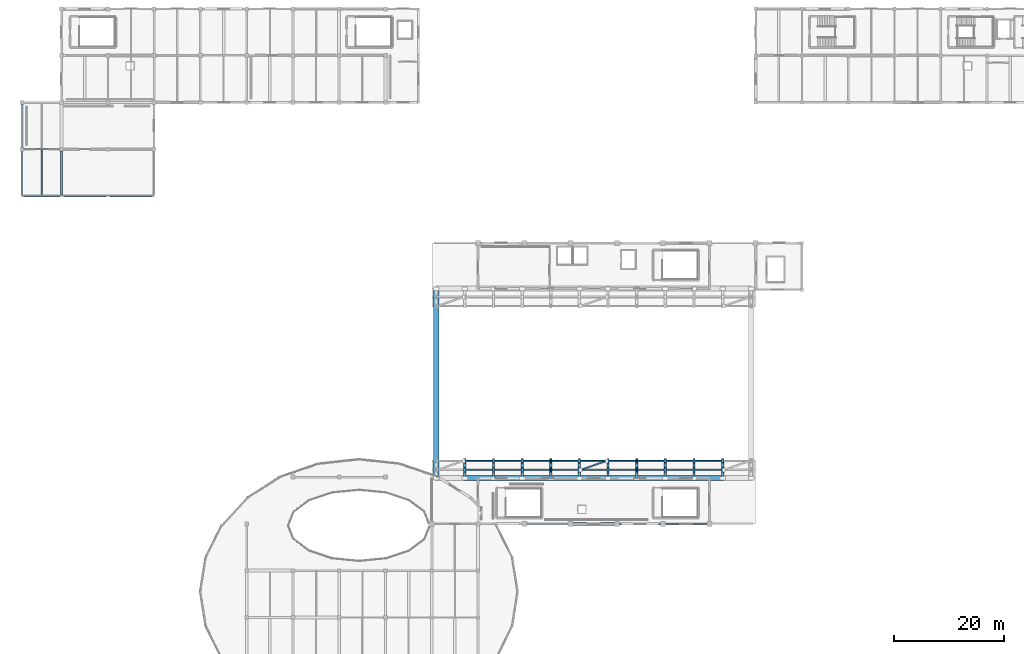
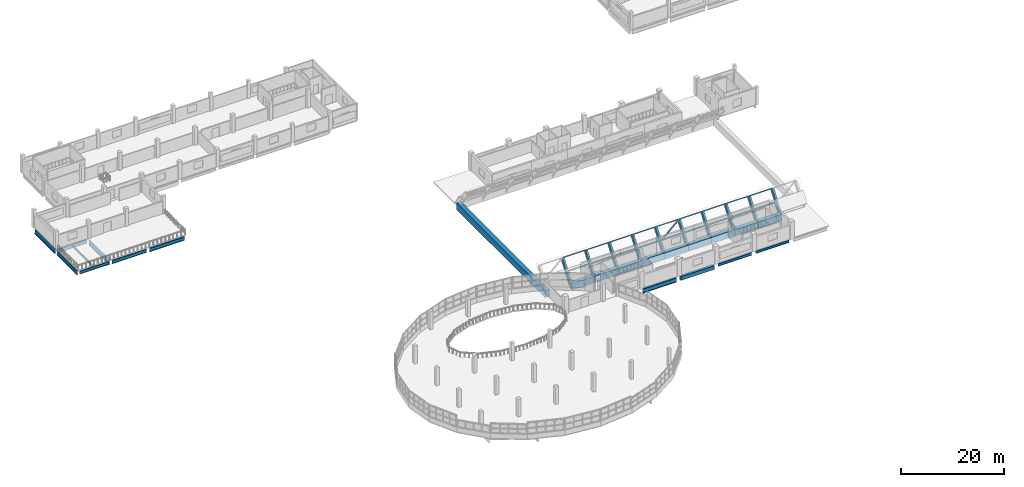
# One storey, part 29 of 52: 42 beams, 19 members.
"""IFC4 building model written with IfcOpenShell, lengths in metres."""

from ifc_helpers import new_model, si_unit, direction, frame, origin, origin_2d, place, context, subcontext, project, spatial, rectangle, hollow_rectangle, hollow_circle, i_section, extrude, material, material_profile, profile_set, type_object, element, save


model = new_model("IFC4")

# Units and contexts
model_context = context("Model", 3, precision=1e-05, world=origin(), true_north=direction((0.0, 1.0)))
body_context = subcontext(model_context, "Body", "Model", "MODEL_VIEW")
ifc_project = project(units=[si_unit("LENGTHUNIT", "METRE"), si_unit("AREAUNIT", "SQUARE_METRE"), si_unit("VOLUMEUNIT", "CUBIC_METRE"), si_unit("PLANEANGLEUNIT", "RADIAN"), si_unit("MASSUNIT", "GRAM", prefix="KILO")], contexts=[model_context])

# Site, building, storey
site_placement = place(None, origin())
site = spatial("IfcSite", under=ifc_project, at=site_placement, CompositionType="ELEMENT")
building_placement = place(site_placement, origin())
building = spatial("IfcBuilding", under=site, at=building_placement, Name="Solvento Point Concert Hall", CompositionType="ELEMENT")
storey_placement = place(building_placement, frame((0.0, 0.0, 19.5)))
storey = spatial("IfcBuildingStorey", under=building, at=storey_placement, Name="L04", CompositionType="ELEMENT", Elevation=19.5)

# Beams
ifc_material_1 = material(Name="Structural Steel ASTM A992 Grade 50", Category="steel")
ifc_material_profile_1 = material_profile(ifc_material_1, i_section(OverallWidth=0.423095703125, OverallDepth=0.947998046875, WebThickness=0.02392578125, FlangeThickness=0.042724609375, at=origin_2d()), Name="W36X302")
ifc_profile_set_1 = profile_set([ifc_material_profile_1], Name="Structural Steel ASTM A992 Grade 50")
beam_type_1 = type_object("IfcBeamType", Name="ArchRib_W36X302", PredefinedType="BEAM", material=ifc_profile_set_1)
beam_1_placement = place(storey_placement, frame((80.39990234375, 50.800048828125, -0.64990234375), z_axis=(0.0, 0.557211589906, 0.830370546247), x_axis=(-1.0, 0.0, 0.0)))
element("IfcBeam", 1, at=beam_1_placement, inside=storey, type_object=beam_type_1, Name="Steel arch rib AR-01 bay 2 seg 1", PredefinedType="BEAM", context=body_context, shape_type="SweptSolid", body=[
    extrude(i_section(OverallWidth=0.423095703125, OverallDepth=0.947998046875, WebThickness=0.02392578125, FlangeThickness=0.042724609375, at=origin_2d()), origin(), (0.0, 0.0, 1.0), 2.689453125),
])
beam_2_placement = place(storey_placement, frame((80.39990234375, 52.298583984375, 1.583251953125), z_axis=(0.0, 0.596003968317, 0.8029814878), x_axis=(-1.0, 0.0, 0.0)))
element("IfcBeam", 2, at=beam_2_placement, inside=storey, type_object=beam_type_1, Name="Steel arch rib AR-01 bay 2 seg 2", PredefinedType="BEAM", context=body_context, shape_type="SweptSolid", body=[
    extrude(i_section(OverallWidth=0.423095703125, OverallDepth=0.947998046875, WebThickness=0.02392578125, FlangeThickness=0.042724609375, at=origin_2d()), origin(), (0.0, 0.0, 1.0), 2.781494140625),
])
beam_3_placement = place(storey_placement, frame((85.60009765625, 50.800048828125, -0.64990234375), z_axis=(0.0, 0.557211589906, 0.830370546247), x_axis=(-1.0, 0.0, 0.0)))
element("IfcBeam", 3, at=beam_3_placement, inside=storey, type_object=beam_type_1, Name="Steel arch rib AR-01 bay 3 seg 1", PredefinedType="BEAM", context=body_context, shape_type="SweptSolid", body=[
    extrude(i_section(OverallWidth=0.423095703125, OverallDepth=0.947998046875, WebThickness=0.02392578125, FlangeThickness=0.042724609375, at=origin_2d()), origin(), (0.0, 0.0, 1.0), 2.689453125),
])
beam_4_placement = place(storey_placement, frame((85.60009765625, 52.298583984375, 1.583251953125), z_axis=(0.0, 0.596003968317, 0.8029814878), x_axis=(-1.0, 0.0, 0.0)))
element("IfcBeam", 4, at=beam_4_placement, inside=storey, type_object=beam_type_1, Name="Steel arch rib AR-01 bay 3 seg 2", PredefinedType="BEAM", context=body_context, shape_type="SweptSolid", body=[
    extrude(i_section(OverallWidth=0.423095703125, OverallDepth=0.947998046875, WebThickness=0.02392578125, FlangeThickness=0.042724609375, at=origin_2d()), origin(), (0.0, 0.0, 1.0), 2.781494140625),
])
beam_5_placement = place(storey_placement, frame((90.800048828125, 50.800048828125, -0.64990234375), z_axis=(0.0, 0.557211589906, 0.830370546247), x_axis=(-1.0, 0.0, 0.0)))
element("IfcBeam", 5, at=beam_5_placement, inside=storey, type_object=beam_type_1, Name="Steel arch rib AR-01 bay 4 seg 1", PredefinedType="BEAM", context=body_context, shape_type="SweptSolid", body=[
    extrude(i_section(OverallWidth=0.423095703125, OverallDepth=0.947998046875, WebThickness=0.02392578125, FlangeThickness=0.042724609375, at=origin_2d()), origin(), (0.0, 0.0, 1.0), 2.689453125),
])
beam_6_placement = place(storey_placement, frame((90.800048828125, 52.298583984375, 1.583251953125), z_axis=(0.0, 0.596003968317, 0.8029814878), x_axis=(-1.0, 0.0, 0.0)))
element("IfcBeam", 6, at=beam_6_placement, inside=storey, type_object=beam_type_1, Name="Steel arch rib AR-01 bay 4 seg 2", PredefinedType="BEAM", context=body_context, shape_type="SweptSolid", body=[
    extrude(i_section(OverallWidth=0.423095703125, OverallDepth=0.947998046875, WebThickness=0.02392578125, FlangeThickness=0.042724609375, at=origin_2d()), origin(), (0.0, 0.0, 1.0), 2.781494140625),
])
beam_7_placement = place(storey_placement, frame((96.0, 50.800048828125, -0.64990234375), z_axis=(0.0, 0.557211589906, 0.830370546247), x_axis=(-1.0, 0.0, 0.0)))
element("IfcBeam", 7, at=beam_7_placement, inside=storey, type_object=beam_type_1, Name="Steel arch rib AR-01 bay 5 seg 1", PredefinedType="BEAM", context=body_context, shape_type="SweptSolid", body=[
    extrude(i_section(OverallWidth=0.423095703125, OverallDepth=0.947998046875, WebThickness=0.02392578125, FlangeThickness=0.042724609375, at=origin_2d()), origin(), (0.0, 0.0, 1.0), 2.689453125),
])
beam_8_placement = place(storey_placement, frame((96.0, 52.298583984375, 1.583251953125), z_axis=(0.0, 0.596003968317, 0.8029814878), x_axis=(-1.0, 0.0, 0.0)))
element("IfcBeam", 8, at=beam_8_placement, inside=storey, type_object=beam_type_1, Name="Steel arch rib AR-01 bay 5 seg 2", PredefinedType="BEAM", context=body_context, shape_type="SweptSolid", body=[
    extrude(i_section(OverallWidth=0.423095703125, OverallDepth=0.947998046875, WebThickness=0.02392578125, FlangeThickness=0.042724609375, at=origin_2d()), origin(), (0.0, 0.0, 1.0), 2.781494140625),
])
beam_9_placement = place(storey_placement, frame((101.199951171875, 50.800048828125, -0.64990234375), z_axis=(0.0, 0.557211589906, 0.830370546247), x_axis=(-1.0, 0.0, 0.0)))
element("IfcBeam", 9, at=beam_9_placement, inside=storey, type_object=beam_type_1, Name="Steel arch rib AR-01 bay 6 seg 1", PredefinedType="BEAM", context=body_context, shape_type="SweptSolid", body=[
    extrude(i_section(OverallWidth=0.423095703125, OverallDepth=0.947998046875, WebThickness=0.02392578125, FlangeThickness=0.042724609375, at=origin_2d()), origin(), (0.0, 0.0, 1.0), 2.689453125),
])
beam_10_placement = place(storey_placement, frame((101.199951171875, 52.298583984375, 1.583251953125), z_axis=(0.0, 0.596003968317, 0.8029814878), x_axis=(-1.0, 0.0, 0.0)))
element("IfcBeam", 10, at=beam_10_placement, inside=storey, type_object=beam_type_1, Name="Steel arch rib AR-01 bay 6 seg 2", PredefinedType="BEAM", context=body_context, shape_type="SweptSolid", body=[
    extrude(i_section(OverallWidth=0.423095703125, OverallDepth=0.947998046875, WebThickness=0.02392578125, FlangeThickness=0.042724609375, at=origin_2d()), origin(), (0.0, 0.0, 1.0), 2.781494140625),
])
beam_11_placement = place(storey_placement, frame((106.39990234375, 50.800048828125, -0.64990234375), z_axis=(0.0, 0.557211589906, 0.830370546247), x_axis=(-1.0, 0.0, 0.0)))
element("IfcBeam", 11, at=beam_11_placement, inside=storey, type_object=beam_type_1, Name="Steel arch rib AR-01 bay 7 seg 1", PredefinedType="BEAM", context=body_context, shape_type="SweptSolid", body=[
    extrude(i_section(OverallWidth=0.423095703125, OverallDepth=0.947998046875, WebThickness=0.02392578125, FlangeThickness=0.042724609375, at=origin_2d()), origin(), (0.0, 0.0, 1.0), 2.689453125),
])
beam_12_placement = place(storey_placement, frame((106.39990234375, 52.298583984375, 1.583251953125), z_axis=(0.0, 0.596003968317, 0.8029814878), x_axis=(-1.0, 0.0, 0.0)))
element("IfcBeam", 12, at=beam_12_placement, inside=storey, type_object=beam_type_1, Name="Steel arch rib AR-01 bay 7 seg 2", PredefinedType="BEAM", context=body_context, shape_type="SweptSolid", body=[
    extrude(i_section(OverallWidth=0.423095703125, OverallDepth=0.947998046875, WebThickness=0.02392578125, FlangeThickness=0.042724609375, at=origin_2d()), origin(), (0.0, 0.0, 1.0), 2.781494140625),
])
beam_13_placement = place(storey_placement, frame((111.60009765625, 50.800048828125, -0.64990234375), z_axis=(0.0, 0.557211589906, 0.830370546247), x_axis=(-1.0, 0.0, 0.0)))
element("IfcBeam", 13, at=beam_13_placement, inside=storey, type_object=beam_type_1, Name="Steel arch rib AR-01 bay 8 seg 1", PredefinedType="BEAM", context=body_context, shape_type="SweptSolid", body=[
    extrude(i_section(OverallWidth=0.423095703125, OverallDepth=0.947998046875, WebThickness=0.02392578125, FlangeThickness=0.042724609375, at=origin_2d()), origin(), (0.0, 0.0, 1.0), 2.689453125),
])
beam_14_placement = place(storey_placement, frame((111.60009765625, 52.298583984375, 1.583251953125), z_axis=(0.0, 0.596003968317, 0.8029814878), x_axis=(-1.0, 0.0, 0.0)))
element("IfcBeam", 14, at=beam_14_placement, inside=storey, type_object=beam_type_1, Name="Steel arch rib AR-01 bay 8 seg 2", PredefinedType="BEAM", context=body_context, shape_type="SweptSolid", body=[
    extrude(i_section(OverallWidth=0.423095703125, OverallDepth=0.947998046875, WebThickness=0.02392578125, FlangeThickness=0.042724609375, at=origin_2d()), origin(), (0.0, 0.0, 1.0), 2.781494140625),
])
beam_15_placement = place(storey_placement, frame((116.800048828125, 50.800048828125, -0.64990234375), z_axis=(0.0, 0.557211589906, 0.830370546247), x_axis=(-1.0, 0.0, 0.0)))
element("IfcBeam", 15, at=beam_15_placement, inside=storey, type_object=beam_type_1, Name="Steel arch rib AR-01 bay 9 seg 1", PredefinedType="BEAM", context=body_context, shape_type="SweptSolid", body=[
    extrude(i_section(OverallWidth=0.423095703125, OverallDepth=0.947998046875, WebThickness=0.02392578125, FlangeThickness=0.042724609375, at=origin_2d()), origin(), (0.0, 0.0, 1.0), 2.689453125),
])
beam_16_placement = place(storey_placement, frame((116.800048828125, 52.298583984375, 1.583251953125), z_axis=(0.0, 0.596003968317, 0.8029814878), x_axis=(-1.0, 0.0, 0.0)))
element("IfcBeam", 16, at=beam_16_placement, inside=storey, type_object=beam_type_1, Name="Steel arch rib AR-01 bay 9 seg 2", PredefinedType="BEAM", context=body_context, shape_type="SweptSolid", body=[
    extrude(i_section(OverallWidth=0.423095703125, OverallDepth=0.947998046875, WebThickness=0.02392578125, FlangeThickness=0.042724609375, at=origin_2d()), origin(), (0.0, 0.0, 1.0), 2.781494140625),
])
beam_17_placement = place(storey_placement, frame((122.0, 50.800048828125, -0.64990234375), z_axis=(0.0, 0.557211589906, 0.830370546247), x_axis=(-1.0, 0.0, 0.0)))
element("IfcBeam", 17, at=beam_17_placement, inside=storey, type_object=beam_type_1, Name="Steel arch rib AR-01 bay 10 seg 1", PredefinedType="BEAM", context=body_context, shape_type="SweptSolid", body=[
    extrude(i_section(OverallWidth=0.423095703125, OverallDepth=0.947998046875, WebThickness=0.02392578125, FlangeThickness=0.042724609375, at=origin_2d()), origin(), (0.0, 0.0, 1.0), 2.689453125),
])
beam_18_placement = place(storey_placement, frame((122.0, 52.298583984375, 1.583251953125), z_axis=(0.0, 0.596003968317, 0.8029814878), x_axis=(-1.0, 0.0, 0.0)))
element("IfcBeam", 18, at=beam_18_placement, inside=storey, type_object=beam_type_1, Name="Steel arch rib AR-01 bay 10 seg 2", PredefinedType="BEAM", context=body_context, shape_type="SweptSolid", body=[
    extrude(i_section(OverallWidth=0.423095703125, OverallDepth=0.947998046875, WebThickness=0.02392578125, FlangeThickness=0.042724609375, at=origin_2d()), origin(), (0.0, 0.0, 1.0), 2.781494140625),
])
beam_19_placement = place(storey_placement, frame((127.199951171875, 50.800048828125, -0.64990234375), z_axis=(0.0, 0.557211589906, 0.830370546247), x_axis=(-1.0, 0.0, 0.0)))
element("IfcBeam", 19, at=beam_19_placement, inside=storey, type_object=beam_type_1, Name="Steel arch rib AR-01 bay 11 seg 1", PredefinedType="BEAM", context=body_context, shape_type="SweptSolid", body=[
    extrude(i_section(OverallWidth=0.423095703125, OverallDepth=0.947998046875, WebThickness=0.02392578125, FlangeThickness=0.042724609375, at=origin_2d()), origin(), (0.0, 0.0, 1.0), 2.689453125),
])
beam_20_placement = place(storey_placement, frame((127.199951171875, 52.298583984375, 1.583251953125), z_axis=(0.0, 0.596003968317, 0.8029814878), x_axis=(-1.0, 0.0, 0.0)))
element("IfcBeam", 20, at=beam_20_placement, inside=storey, type_object=beam_type_1, Name="Steel arch rib AR-01 bay 11 seg 2", PredefinedType="BEAM", context=body_context, shape_type="SweptSolid", body=[
    extrude(i_section(OverallWidth=0.423095703125, OverallDepth=0.947998046875, WebThickness=0.02392578125, FlangeThickness=0.042724609375, at=origin_2d()), origin(), (0.0, 0.0, 1.0), 2.781494140625),
])
ifc_material_2 = material(Name="Structural Steel ASTM A992 Grade 50", Category="steel")
ifc_material_profile_2 = material_profile(ifc_material_2, i_section(OverallWidth=0.214111328125, OverallDepth=0.549072265625, WebThickness=0.0146484375, FlangeThickness=0.023681640625, at=origin_2d()), Name="W21X93")
ifc_profile_set_2 = profile_set([ifc_material_profile_2], Name="Structural Steel ASTM A992 Grade 50")
beam_type_2 = type_object("IfcBeamType", Name="Beam_W21X93", PredefinedType="BEAM", material=ifc_profile_set_2)
beam_21_placement = place(storey_placement, frame((116.843994140625, 42.5, -0.568603515625), z_axis=(1.0, 0.0, 0.0), x_axis=(0.0, 1.0, 0.0)))
element("IfcBeam", 21, at=beam_21_placement, inside=storey, type_object=beam_type_2, Name="Primary girder B-48 L04", PredefinedType="BEAM", context=body_context, shape_type="SweptSolid", body=[
    extrude(i_section(OverallWidth=0.214111328125, OverallDepth=0.549072265625, WebThickness=0.0146484375, FlangeThickness=0.023681640625, at=origin_2d()), origin(), (0.0, 0.0, 1.0), 7.511962890625),
])
ifc_material_3 = material(Name="Structural Steel ASTM A992 Grade 50", Category="steel")
ifc_material_profile_3 = material_profile(ifc_material_3, i_section(OverallWidth=0.228515625, OverallDepth=0.60791015625, WebThickness=0.01123046875, FlangeThickness=0.017333984375, at=origin_2d()), Name="W24X76")
ifc_profile_set_3 = profile_set([ifc_material_profile_3], Name="Structural Steel ASTM A992 Grade 50")
beam_type_3 = type_object("IfcBeamType", Name="Beam_W24X76", PredefinedType="BEAM", material=ifc_profile_set_3)
beam_22_placement = place(storey_placement, frame((108.444091796875, 42.5, -0.597900390625), z_axis=(1.0, 0.0, 0.0), x_axis=(0.0, 1.0, 0.0)))
element("IfcBeam", 22, at=beam_22_placement, inside=storey, type_object=beam_type_3, Name="Primary girder B-42 L04", PredefinedType="BEAM", context=body_context, shape_type="SweptSolid", body=[
    extrude(i_section(OverallWidth=0.228515625, OverallDepth=0.60791015625, WebThickness=0.01123046875, FlangeThickness=0.017333984375, at=origin_2d()), origin(), (0.0, 0.0, 1.0), 7.511962890625),
])
ifc_material_4 = material(Name="Concrete C40/50", Category="concrete")
ifc_material_profile_4 = material_profile(ifc_material_4, rectangle(XDim=0.89990234375, YDim=1.5, at=origin_2d()), Name="RC-ERB-900X1500")
ifc_profile_set_4 = profile_set([ifc_material_profile_4], Name="Concrete C40/50")
beam_type_4 = type_object("IfcBeamType", Name="EdgeRingBeam_900x1500", PredefinedType="SPANDREL", material=ifc_profile_set_4)
beam_23_placement = place(storey_placement, frame((80.39990234375, 50.800048828125, -0.75), z_axis=(1.0, 0.0, 0.0), x_axis=(0.0, 1.0, 0.0)))
element("IfcBeam", 23, at=beam_23_placement, inside=storey, type_object=beam_type_4, Name="Edge ring beam ERB-01 S-02", PredefinedType="SPANDREL", context=body_context, shape_type="SweptSolid", body=[
    extrude(rectangle(XDim=0.89990234375, YDim=1.5, at=origin_2d()), origin(), (0.0, 0.0, 1.0), 5.2001953125),
])
for number, where, z_axis, x_axis, name in (
    (24, (85.60009765625, 50.800048828125, -0.75), (1.0, 0.0, 0.0), (0.0, 1.0, 0.0), "Edge ring beam ERB-01 S-03"),
    (25, (90.800048828125, 50.800048828125, -0.75), (1.0, 0.0, 0.0), (0.0, 1.0, 0.0), "Edge ring beam ERB-01 S-04"),
    (26, (96.0, 50.800048828125, -0.75), (1.0, 0.0, 0.0), (0.0, 1.0, 0.0), "Edge ring beam ERB-01 S-05"),
    (27, (101.199951171875, 50.800048828125, -0.75), (1.0, 0.0, 0.0), (0.0, 1.0, 0.0), "Edge ring beam ERB-01 S-06"),
):
    element("IfcBeam", number, at=place(storey_placement, frame(where, z_axis=z_axis, x_axis=x_axis)), inside=storey, type_object=beam_type_4, Name=name, PredefinedType="SPANDREL", context=body_context, shape_type="SweptSolid", body=[
        extrude(rectangle(XDim=0.89990234375, YDim=1.5, at=origin_2d()), origin(), (0.0, 0.0, 1.0), 5.199951171875),
    ])
beam_24_placement = place(storey_placement, frame((106.39990234375, 50.800048828125, -0.75), z_axis=(1.0, 0.0, 0.0), x_axis=(0.0, 1.0, 0.0)))
element("IfcBeam", 28, at=beam_24_placement, inside=storey, type_object=beam_type_4, Name="Edge ring beam ERB-01 S-07", PredefinedType="SPANDREL", context=body_context, shape_type="SweptSolid", body=[
    extrude(rectangle(XDim=0.89990234375, YDim=1.5, at=origin_2d()), origin(), (0.0, 0.0, 1.0), 5.2001953125),
])
for number, where, z_axis, x_axis, name in (
    (29, (111.60009765625, 50.800048828125, -0.75), (1.0, 0.0, 0.0), (0.0, 1.0, 0.0), "Edge ring beam ERB-01 S-08"),
    (30, (116.800048828125, 50.800048828125, -0.75), (1.0, 0.0, 0.0), (0.0, 1.0, 0.0), "Edge ring beam ERB-01 S-09"),
    (31, (122.0, 50.800048828125, -0.75), (1.0, 0.0, 0.0), (0.0, 1.0, 0.0), "Edge ring beam ERB-01 S-10"),
):
    element("IfcBeam", number, at=place(storey_placement, frame(where, z_axis=z_axis, x_axis=x_axis)), inside=storey, type_object=beam_type_4, Name=name, PredefinedType="SPANDREL", context=body_context, shape_type="SweptSolid", body=[
        extrude(rectangle(XDim=0.89990234375, YDim=1.5, at=origin_2d()), origin(), (0.0, 0.0, 1.0), 5.199951171875),
    ])
ifc_material_5 = material(Name="Concrete C35/45", Category="concrete")
ifc_material_profile_5 = material_profile(ifc_material_5, rectangle(XDim=0.550048828125, YDim=0.89990234375, at=origin_2d()), Name="RC-BM-550X900")
ifc_profile_set_5 = profile_set([ifc_material_profile_5], Name="Concrete C35/45")
beam_type_5 = type_object("IfcBeamType", Name="Girder_RC_550x900", PredefinedType="USERDEFINED", material=ifc_profile_set_5)
beam_25_placement = place(storey_placement, frame((100.0439453125, 42.5, -0.743896484375), z_axis=(1.0, 0.0, 0.0), x_axis=(0.0, 1.0, 0.0)))
element("IfcBeam", 32, at=beam_25_placement, inside=storey, type_object=beam_type_5, Name="Primary girder B-39 L04", ObjectType="GIRDER", PredefinedType="USERDEFINED", context=body_context, shape_type="SweptSolid", body=[
    extrude(rectangle(XDim=0.550048828125, YDim=0.89990234375, at=origin_2d()), origin(), (0.0, 0.0, 1.0), 7.511962890625),
])
ifc_material_6 = material(Name="Structural Steel ASTM A992 Grade 50", Category="steel")
ifc_material_profile_6 = material_profile(ifc_material_6, i_section(OverallWidth=0.256103515625, OverallDepth=0.693115234375, WebThickness=0.014404296875, FlangeThickness=0.023681640625, at=origin_2d()), Name="W27X114")
ifc_profile_set_6 = profile_set([ifc_material_profile_6], Name="Structural Steel ASTM A992 Grade 50")
beam_type_6 = type_object("IfcBeamType", Name="Girder_W27X114", PredefinedType="USERDEFINED", material=ifc_profile_set_6)
beam_26_placement = place(storey_placement, frame((0.319091796875, 102.0, -0.615478515625), z_axis=(1.0, 0.0, 0.0), x_axis=(0.0, 1.0, 0.0)))
element("IfcBeam", 33, at=beam_26_placement, inside=storey, type_object=beam_type_6, Name="Primary girder B-23 L04", ObjectType="GIRDER", PredefinedType="USERDEFINED", context=body_context, shape_type="SweptSolid", body=[
    extrude(i_section(OverallWidth=0.256103515625, OverallDepth=0.693115234375, WebThickness=0.014404296875, FlangeThickness=0.023681640625, at=origin_2d()), origin(), (0.0, 0.0, 1.0), 6.56201171875),
])
ifc_material_7 = material(Name="Structural Steel ASTM A992 Grade 50", Category="steel")
ifc_material_profile_7 = material_profile(ifc_material_7, i_section(OverallWidth=0.26806640625, OverallDepth=0.77001953125, WebThickness=0.015625, FlangeThickness=0.025390625, at=origin_2d()), Name="W30X132")
ifc_profile_set_7 = profile_set([ifc_material_profile_7], Name="Structural Steel ASTM A992 Grade 50")
beam_type_7 = type_object("IfcBeamType", Name="Girder_W30X132", PredefinedType="USERDEFINED", material=ifc_profile_set_7)
beam_27_placement = place(storey_placement, frame((7.51904296875, 102.0, -0.654052734375), z_axis=(1.0, 0.0, 0.0), x_axis=(0.0, 1.0, 0.0)))
element("IfcBeam", 34, at=beam_27_placement, inside=storey, type_object=beam_type_7, Name="Primary girder B-68 L04", ObjectType="GIRDER", PredefinedType="USERDEFINED", context=body_context, shape_type="SweptSolid", body=[
    extrude(i_section(OverallWidth=0.26806640625, OverallDepth=0.77001953125, WebThickness=0.015625, FlangeThickness=0.025390625, at=origin_2d()), origin(), (0.0, 0.0, 1.0), 7.761962890625),
])
beam_28_placement = place(storey_placement, frame((0.319091796875, 110.5, -0.678955078125), z_axis=(1.0, 0.0, 0.0), x_axis=(0.0, 1.0, 0.0)))
element("IfcBeam", 35, at=beam_28_placement, inside=storey, type_object=beam_type_7, Name="Primary girder B-68 L04", ObjectType="GIRDER", PredefinedType="USERDEFINED", context=body_context, shape_type="SweptSolid", body=[
    extrude(i_section(OverallWidth=0.26806640625, OverallDepth=0.77001953125, WebThickness=0.015625, FlangeThickness=0.025390625, at=origin_2d()), origin(), (0.0, 0.0, 1.0), 6.56201171875),
])
ifc_material_8 = material(Name="Structural Steel ASTM A992 Grade 50", Category="steel")
ifc_material_profile_8 = material_profile(ifc_material_8, i_section(OverallWidth=0.2919921875, OverallDepth=0.85888671875, WebThickness=0.01708984375, FlangeThickness=0.031005859375, at=origin_2d()), Name="W33X169")
ifc_profile_set_8 = profile_set([ifc_material_profile_8], Name="Structural Steel ASTM A992 Grade 50")
beam_type_8 = type_object("IfcBeamType", Name="Girder_W33X169", PredefinedType="USERDEFINED", material=ifc_profile_set_8)
beam_29_placement = place(storey_placement, frame((15.9189453125, 102.0, -0.698486328125), z_axis=(1.0, 0.0, 0.0), x_axis=(0.0, 1.0, 0.0)))
element("IfcBeam", 36, at=beam_29_placement, inside=storey, type_object=beam_type_8, Name="Primary girder B-33 L04", ObjectType="GIRDER", PredefinedType="USERDEFINED", context=body_context, shape_type="SweptSolid", body=[
    extrude(i_section(OverallWidth=0.2919921875, OverallDepth=0.85888671875, WebThickness=0.01708984375, FlangeThickness=0.031005859375, at=origin_2d()), origin(), (0.0, 0.0, 1.0), 7.761962890625),
])
ifc_material_9 = material(Name="Structural Steel ASTM A992 Grade 50", Category="steel")
ifc_material_profile_9 = material_profile(ifc_material_9, i_section(OverallWidth=0.3076171875, OverallDepth=0.927001953125, WebThickness=0.019287109375, FlangeThickness=0.031982421875, at=origin_2d()), Name="W36X194")
ifc_profile_set_9 = profile_set([ifc_material_profile_9], Name="Structural Steel ASTM A992 Grade 50")
beam_type_9 = type_object("IfcBeamType", Name="Girder_W36X194", PredefinedType="USERDEFINED", material=ifc_profile_set_9)
beam_30_placement = place(storey_placement, frame((0.0, 102.319091796875, -0.757568359375), z_axis=(0.0, 1.0, 0.0), x_axis=(-1.0, 0.0, 0.0)))
element("IfcBeam", 37, at=beam_30_placement, inside=storey, type_object=beam_type_9, Name="Primary girder B-61 L04", ObjectType="GIRDER", PredefinedType="USERDEFINED", context=body_context, shape_type="SweptSolid", body=[
    extrude(i_section(OverallWidth=0.3076171875, OverallDepth=0.927001953125, WebThickness=0.019287109375, FlangeThickness=0.031982421875, at=origin_2d()), origin(), (0.0, 0.0, 1.0), 7.86181640625),
])
ifc_material_10 = material(Name="Structural Steel ASTM A992 Grade 50", Category="steel")
ifc_material_profile_10 = material_profile(ifc_material_10, i_section(OverallWidth=0.361083984375, OverallDepth=1.02587890625, WebThickness=0.01904296875, FlangeThickness=0.0361328125, at=origin_2d()), Name="W40X249")
ifc_profile_set_10 = profile_set([ifc_material_profile_10], Name="Structural Steel ASTM A992 Grade 50")
beam_type_10 = type_object("IfcBeamType", Name="Girder_W40X249", PredefinedType="USERDEFINED", material=ifc_profile_set_10)
beam_31_placement = place(storey_placement, frame((91.64404296875, 42.5, -0.806884765625), z_axis=(1.0, 0.0, 0.0), x_axis=(0.0, 1.0, 0.0)))
element("IfcBeam", 38, at=beam_31_placement, inside=storey, type_object=beam_type_10, Name="Primary girder B-29 L04", ObjectType="GIRDER", PredefinedType="USERDEFINED", context=body_context, shape_type="SweptSolid", body=[
    extrude(i_section(OverallWidth=0.361083984375, OverallDepth=1.02587890625, WebThickness=0.01904296875, FlangeThickness=0.0361328125, at=origin_2d()), origin(), (0.0, 0.0, 1.0), 7.511962890625),
])
for number, where, z_axis, x_axis, name in (
    (39, (0.0, 110.819091796875, -0.806884765625), (0.0, 1.0, 0.0), (-1.0, 0.0, 0.0), "Primary girder B-29 L04"),
    (40, (7.199951171875, 102.319091796875, -0.806884765625), (0.0, 1.0, 0.0), (-1.0, 0.0, 0.0), "Primary girder B-29 L04"),
):
    element("IfcBeam", number, at=place(storey_placement, frame(where, z_axis=z_axis, x_axis=x_axis)), inside=storey, type_object=beam_type_10, Name=name, ObjectType="GIRDER", PredefinedType="USERDEFINED", context=body_context, shape_type="SweptSolid", body=[
        extrude(i_section(OverallWidth=0.361083984375, OverallDepth=1.02587890625, WebThickness=0.01904296875, FlangeThickness=0.0361328125, at=origin_2d()), origin(), (0.0, 0.0, 1.0), 7.86181640625),
    ])
ifc_material_11 = material(Name="Structural Steel ASTM A992 Grade 50", Category="steel")
ifc_material_profile_11 = material_profile(ifc_material_11, i_section(OverallWidth=0.1904296875, OverallDepth=0.45703125, WebThickness=0.009033203125, FlangeThickness=0.014404296875, at=origin_2d()), Name="W18X50")
ifc_profile_set_11 = profile_set([ifc_material_profile_11], Name="Structural Steel ASTM A992 Grade 50")
beam_type_11 = type_object("IfcBeamType", Name="Joist_W18X50", PredefinedType="JOIST", material=ifc_profile_set_11)
beam_32_placement = place(storey_placement, frame((3.60009765625, 102.113037109375, -0.5224609375), z_axis=(0.0, 1.0, 0.0), x_axis=(-1.0, 0.0, 0.0)))
element("IfcBeam", 41, at=beam_32_placement, inside=storey, type_object=beam_type_11, Name="Secondary floor joist B-66 L04", PredefinedType="JOIST", context=body_context, shape_type="SweptSolid", body=[
    extrude(i_section(OverallWidth=0.1904296875, OverallDepth=0.45703125, WebThickness=0.009033203125, FlangeThickness=0.014404296875, at=origin_2d()), origin(), (0.0, 0.0, 1.0), 8.26806640625),
])

# Members
ifc_material_12 = material(Name="Structural Steel ASTM A500 Grade C", Category="steel")
ifc_material_profile_12 = material_profile(ifc_material_12, hollow_rectangle(XDim=0.25390625, YDim=0.25390625, WallThickness=0.01171875, at=origin_2d()), Name="HSS10X10X1/2")
ifc_profile_set_12 = profile_set([ifc_material_profile_12], Name="Structural Steel ASTM A500 Grade C")
member_type_1 = type_object("IfcMemberType", Name="ShellBrace_HSS10", PredefinedType="BRACE", material=ifc_profile_set_12)
member_placement = place(storey_placement, frame((101.41162109375, 52.298583984375, 1.583251953125), z_axis=(0.864181511654, 0.299897396715, 0.40404438662), x_axis=(-0.3278500994, 0.944729756239, 0.0)))
element("IfcMember", 42, at=member_placement, inside=storey, type_object=member_type_1, Name="Acoustic shell lateral brace M", PredefinedType="BRACE", context=body_context, shape_type="SweptSolid", body=[
    extrude(hollow_rectangle(XDim=0.25390625, YDim=0.25390625, WallThickness=0.01171875, at=origin_2d()), origin(), (0.0, 0.0, 1.0), 5.527587890625),
])
ifc_material_13 = material(Name="Structural Steel ASTM A500 Grade C", Category="steel")
ifc_material_profile_13 = material_profile(ifc_material_13, hollow_circle(Radius=0.136474609375, WallThickness=0.012451171875, at=origin_2d()), Name="CHS273X12.5")
ifc_profile_set_13 = profile_set([ifc_material_profile_13], Name="Structural Steel ASTM A500 Grade C")
member_type_2 = type_object("IfcMemberType", Name="ShellPurlin_CHS273", PredefinedType="PURLIN", material=ifc_profile_set_13)
for number, where, z_axis, x_axis, name in (
    (43, (80.4150390625, 53.956298828125, 3.98681640625), (1.0, 0.0, 0.0), (0.0, 1.0, 0.0), "Acoustic shell steel purlin M-54"),
    (44, (85.614990234375, 53.956298828125, 3.98681640625), (1.0, 0.0, 0.0), (0.0, 1.0, 0.0), "Acoustic shell steel purlin M-54"),
):
    element("IfcMember", number, at=place(storey_placement, frame(where, z_axis=z_axis, x_axis=x_axis)), inside=storey, type_object=member_type_2, Name=name, PredefinedType="PURLIN", context=body_context, shape_type="SweptSolid", body=[
        extrude(hollow_circle(Radius=0.136474609375, WallThickness=0.012451171875, at=origin_2d()), origin(), (0.0, 0.0, 1.0), 5.169921875),
    ])
for number, where, z_axis, x_axis, name in (
    (45, (90.81494140625, 53.956298828125, 3.98681640625), (1.0, 0.0, 0.0), (0.0, 1.0, 0.0), "Acoustic shell steel purlin M-54"),
    (46, (96.014892578125, 53.956298828125, 3.98681640625), (1.0, 0.0, 0.0), (0.0, 1.0, 0.0), "Acoustic shell steel purlin M-54"),
):
    element("IfcMember", number, at=place(storey_placement, frame(where, z_axis=z_axis, x_axis=x_axis)), inside=storey, type_object=member_type_2, Name=name, PredefinedType="PURLIN", context=body_context, shape_type="SweptSolid", body=[
        extrude(hollow_circle(Radius=0.136474609375, WallThickness=0.012451171875, at=origin_2d()), origin(), (0.0, 0.0, 1.0), 5.170166015625),
    ])
for number, where, z_axis, x_axis, name in (
    (47, (101.215087890625, 53.956298828125, 3.98681640625), (1.0, 0.0, 0.0), (0.0, 1.0, 0.0), "Acoustic shell steel purlin M-54"),
    (48, (106.4150390625, 53.956298828125, 3.98681640625), (1.0, 0.0, 0.0), (0.0, 1.0, 0.0), "Acoustic shell steel purlin M-54"),
    (49, (111.614990234375, 53.956298828125, 3.98681640625), (1.0, 0.0, 0.0), (0.0, 1.0, 0.0), "Acoustic shell steel purlin M-54"),
):
    element("IfcMember", number, at=place(storey_placement, frame(where, z_axis=z_axis, x_axis=x_axis)), inside=storey, type_object=member_type_2, Name=name, PredefinedType="PURLIN", context=body_context, shape_type="SweptSolid", body=[
        extrude(hollow_circle(Radius=0.136474609375, WallThickness=0.012451171875, at=origin_2d()), origin(), (0.0, 0.0, 1.0), 5.169921875),
    ])
for number, where, z_axis, x_axis, name in (
    (50, (116.81494140625, 53.956298828125, 3.98681640625), (1.0, 0.0, 0.0), (0.0, 1.0, 0.0), "Acoustic shell steel purlin M-54"),
    (51, (122.014892578125, 53.956298828125, 3.98681640625), (1.0, 0.0, 0.0), (0.0, 1.0, 0.0), "Acoustic shell steel purlin M-54"),
):
    element("IfcMember", number, at=place(storey_placement, frame(where, z_axis=z_axis, x_axis=x_axis)), inside=storey, type_object=member_type_2, Name=name, PredefinedType="PURLIN", context=body_context, shape_type="SweptSolid", body=[
        extrude(hollow_circle(Radius=0.136474609375, WallThickness=0.012451171875, at=origin_2d()), origin(), (0.0, 0.0, 1.0), 5.170166015625),
    ])
ifc_material_14 = material(Name="Structural Steel ASTM A500 Grade C", Category="steel")
ifc_material_profile_14 = material_profile(ifc_material_14, hollow_rectangle(XDim=0.25390625, YDim=0.25390625, WallThickness=0.01171875, at=origin_2d()), Name="HSS10X10X1/2")
ifc_profile_set_14 = profile_set([ifc_material_profile_14], Name="Structural Steel ASTM A500 Grade C")
member_type_3 = type_object("IfcMemberType", Name="ShellPurlin_HSS10", PredefinedType="PURLIN", material=ifc_profile_set_14)
for number, where, z_axis, x_axis, name in (
    (52, (80.4150390625, 52.298583984375, 1.75341796875), (1.0, 0.0, 0.0), (0.0, 1.0, 0.0), "Acoustic shell steel purlin M-49"),
    (53, (85.614990234375, 52.298583984375, 1.75341796875), (1.0, 0.0, 0.0), (0.0, 1.0, 0.0), "Acoustic shell steel purlin M-49"),
):
    element("IfcMember", number, at=place(storey_placement, frame(where, z_axis=z_axis, x_axis=x_axis)), inside=storey, type_object=member_type_3, Name=name, PredefinedType="PURLIN", context=body_context, shape_type="SweptSolid", body=[
        extrude(hollow_rectangle(XDim=0.25390625, YDim=0.25390625, WallThickness=0.01171875, at=origin_2d()), origin(), (0.0, 0.0, 1.0), 5.169921875),
    ])
for number, where, z_axis, x_axis, name in (
    (54, (90.81494140625, 52.298583984375, 1.75341796875), (1.0, 0.0, 0.0), (0.0, 1.0, 0.0), "Acoustic shell steel purlin M-49"),
    (55, (96.014892578125, 52.298583984375, 1.75341796875), (1.0, 0.0, 0.0), (0.0, 1.0, 0.0), "Acoustic shell steel purlin M-49"),
):
    element("IfcMember", number, at=place(storey_placement, frame(where, z_axis=z_axis, x_axis=x_axis)), inside=storey, type_object=member_type_3, Name=name, PredefinedType="PURLIN", context=body_context, shape_type="SweptSolid", body=[
        extrude(hollow_rectangle(XDim=0.25390625, YDim=0.25390625, WallThickness=0.01171875, at=origin_2d()), origin(), (0.0, 0.0, 1.0), 5.170166015625),
    ])
for number, where, z_axis, x_axis, name in (
    (56, (101.215087890625, 52.298583984375, 1.75341796875), (1.0, 0.0, 0.0), (0.0, 1.0, 0.0), "Acoustic shell steel purlin M-49"),
    (57, (106.4150390625, 52.298583984375, 1.75341796875), (1.0, 0.0, 0.0), (0.0, 1.0, 0.0), "Acoustic shell steel purlin M-49"),
    (58, (111.614990234375, 52.298583984375, 1.75341796875), (1.0, 0.0, 0.0), (0.0, 1.0, 0.0), "Acoustic shell steel purlin M-49"),
):
    element("IfcMember", number, at=place(storey_placement, frame(where, z_axis=z_axis, x_axis=x_axis)), inside=storey, type_object=member_type_3, Name=name, PredefinedType="PURLIN", context=body_context, shape_type="SweptSolid", body=[
        extrude(hollow_rectangle(XDim=0.25390625, YDim=0.25390625, WallThickness=0.01171875, at=origin_2d()), origin(), (0.0, 0.0, 1.0), 5.169921875),
    ])
for number, where, z_axis, x_axis, name in (
    (59, (116.81494140625, 52.298583984375, 1.75341796875), (1.0, 0.0, 0.0), (0.0, 1.0, 0.0), "Acoustic shell steel purlin M-49"),
    (60, (122.014892578125, 52.298583984375, 1.75341796875), (1.0, 0.0, 0.0), (0.0, 1.0, 0.0), "Acoustic shell steel purlin M-49"),
):
    element("IfcMember", number, at=place(storey_placement, frame(where, z_axis=z_axis, x_axis=x_axis)), inside=storey, type_object=member_type_3, Name=name, PredefinedType="PURLIN", context=body_context, shape_type="SweptSolid", body=[
        extrude(hollow_rectangle(XDim=0.25390625, YDim=0.25390625, WallThickness=0.01171875, at=origin_2d()), origin(), (0.0, 0.0, 1.0), 5.170166015625),
    ])

# Beam
ifc_material_15 = material(Name="Concrete C40/50", Category="concrete")
ifc_material_profile_15 = material_profile(ifc_material_15, rectangle(XDim=1.0, YDim=1.60009765625, at=origin_2d()), Name="RC-TG-1000X1600")
ifc_profile_set_15 = profile_set([ifc_material_profile_15], Name="Concrete C40/50")
beam_type_12 = type_object("IfcBeamType", Name="TransferGirder_1000x1600", PredefinedType="USERDEFINED", material=ifc_profile_set_15)
beam_33_placement = place(storey_placement, frame((75.199951171875, 50.800048828125, -0.800048828125), z_axis=(0.0, 1.0, 0.0), x_axis=(-1.0, 0.0, 0.0)))
element("IfcBeam", 61, at=beam_33_placement, inside=storey, type_object=beam_type_12, Name="End transfer ring girder TG-01 W", ObjectType="GIRDER", PredefinedType="USERDEFINED", context=body_context, shape_type="SweptSolid", body=[
    extrude(rectangle(XDim=1.0, YDim=1.60009765625, at=origin_2d()), origin(), (0.0, 0.0, 1.0), 34.39990234375),
])

save(model, "model.ifc")
